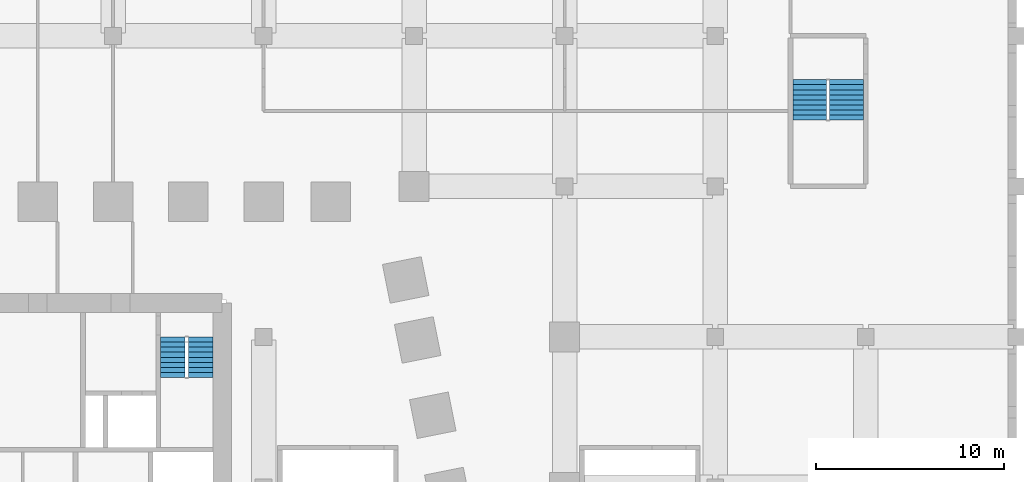
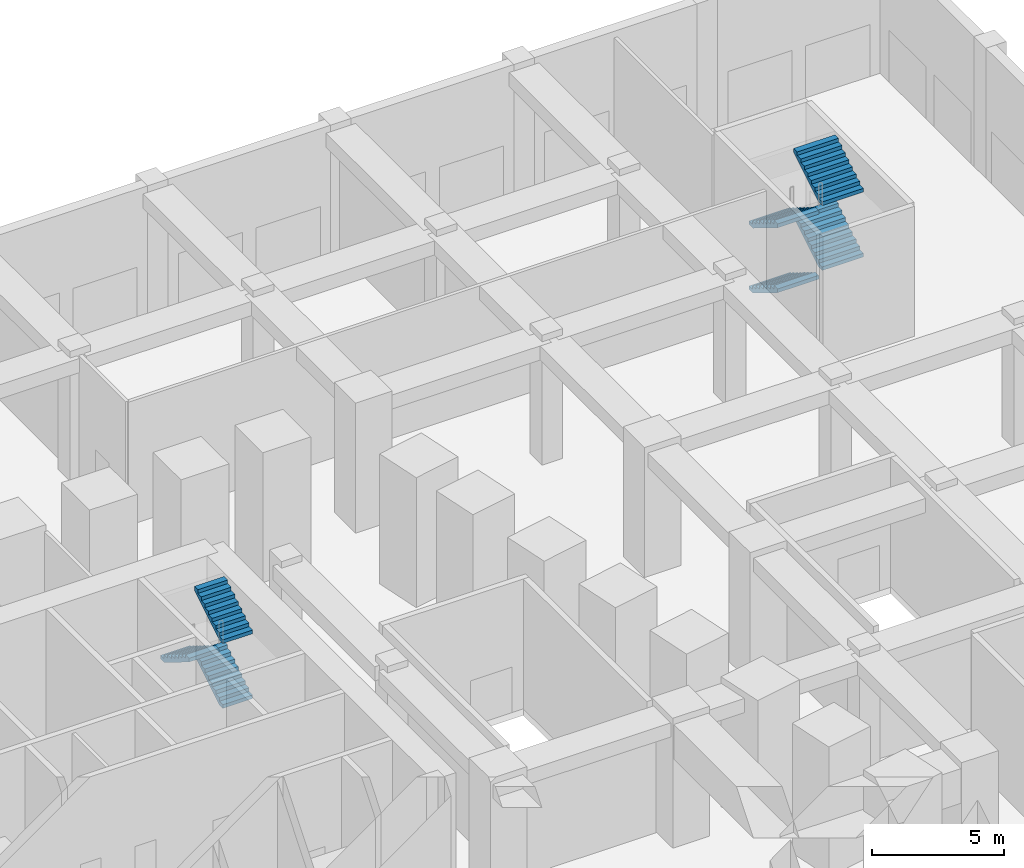
# One storey, part 17 of 28: 7 stair flights, 2 elements without a shape of their own.
"""IFC4 building model written with IfcOpenShell, lengths in metres."""

from ifc_helpers import new_model, si_unit, direction, frame, origin, place, context, subcontext, project, spatial, polyline, outline, extrude, material, type_object, element, aggregate, save


model = new_model("IFC4")

# Units and contexts
model_context = context("Model", 3, precision=1e-05, world=origin(), true_north=direction((0.0, 1.0)))
body_context = subcontext(model_context, "Body", "Model", "MODEL_VIEW")
ifc_project = project(units=[si_unit("LENGTHUNIT", "METRE"), si_unit("AREAUNIT", "SQUARE_METRE"), si_unit("VOLUMEUNIT", "CUBIC_METRE"), si_unit("PLANEANGLEUNIT", "RADIAN"), si_unit("MASSUNIT", "GRAM", prefix="KILO")], contexts=[model_context])

# Site, building, storey
site_placement = place(None, origin())
site = spatial("IfcSite", under=ifc_project, at=site_placement, CompositionType="ELEMENT")
building_placement = place(site_placement, origin())
building = spatial("IfcBuilding", under=site, at=building_placement, Name="Isbrekke Arena Tower", CompositionType="ELEMENT")
storey_placement = place(building_placement, origin())
storey = spatial("IfcBuildingStorey", under=building, at=storey_placement, Name="L00", CompositionType="ELEMENT", Elevation=0.0)

# Stair, stair flights
ifc_material_1 = material(Name="Concrete B45 (C45/55) precast", Category="concrete")
stair_type_1 = type_object("IfcStairType", Name="ST60 STAIR 1300 WIDE, 36 RISERS 167", PredefinedType="HALF_TURN_STAIR", material=ifc_material_1)
stair_1_placement = place(storey_placement, origin())
stair_1 = element("IfcStair", 1, at=stair_1_placement, inside=storey, type_object=stair_type_1, Name="ST2 stair L00", PredefinedType="HALF_TURN_STAIR")
ifc_material_2 = material(Name="Concrete B45 (C45/55) precast", Category="concrete")
stair_flight_type_1 = type_object("IfcStairFlightType", Name="SF 1300 FLIGHT", PredefinedType="STRAIGHT", material=ifc_material_2)
stair_flight_1_placement = place(storey_placement, frame((12.64990234375, 19.840087890625, 1.5), z_axis=(0.0, 0.0, 1.0), x_axis=(0.0, 1.0, 0.0)))
stair_flight_1 = element("IfcStairFlight", 2, at=stair_flight_1_placement, type_object=stair_flight_type_1, Name="ST2 flight 2", NumberOfRisers=9, NumberOfTreads=8, PredefinedType="STRAIGHT", RiserHeight=0.166666667, TreadLength=0.27, context=body_context, shape_type="SweptSolid", body=[
    extrude(outline(polyline([(0.0, 0.0), (0.0, 0.166748046875), (0.27001953125, 0.166748046875), (0.27001953125, 0.333251953125), (0.5400390625, 0.333251953125), (0.5400390625, 0.5), (0.81005859375, 0.5), (0.81005859375, 0.666748046875), (1.080078125, 0.666748046875), (1.080078125, 0.833251953125), (1.35009765625, 0.833251953125), (1.35009765625, 1.0), (1.6201171875, 1.0), (1.6201171875, 1.166748046875), (1.889892578125, 1.166748046875), (1.889892578125, 1.333251953125), (2.159912109375, 1.333251953125), (2.159912109375, 1.5), (2.159912109375, 1.1572265625), (0.285400390625, 0.0), (0.0, 0.0)])), frame((0.0, 0.64990234375, 0.0), z_axis=(0.0, -1.0, 0.0), x_axis=(1.0, 0.0, 0.0)), (0.0, 0.0, 1.0), 1.300048828125),
])
stair_flight_2_placement = place(storey_placement, frame((11.175048828125, 22.0, 3.0), z_axis=(0.0, 0.0, 1.0), x_axis=(0.0, -1.0, 0.0)))
stair_flight_2 = element("IfcStairFlight", 3, at=stair_flight_2_placement, type_object=stair_flight_type_1, Name="ST2 flight 3", NumberOfRisers=9, NumberOfTreads=8, PredefinedType="STRAIGHT", RiserHeight=0.166666667, TreadLength=0.27, context=body_context, shape_type="SweptSolid", body=[
    extrude(outline(polyline([(0.0, 0.0), (0.0, 0.166748046875), (0.27001953125, 0.166748046875), (0.27001953125, 0.333251953125), (0.5400390625, 0.333251953125), (0.5400390625, 0.5), (0.81005859375, 0.5), (0.81005859375, 0.666748046875), (1.080078125, 0.666748046875), (1.080078125, 0.833251953125), (1.35009765625, 0.833251953125), (1.35009765625, 1.0), (1.6201171875, 1.0), (1.6201171875, 1.166748046875), (1.889892578125, 1.166748046875), (1.889892578125, 1.333251953125), (2.159912109375, 1.333251953125), (2.159912109375, 1.5), (2.159912109375, 1.1572265625), (0.285400390625, 0.0), (0.0, 0.0)])), frame((0.0, 0.64990234375, 0.0), z_axis=(0.0, -1.0, 0.0), x_axis=(1.0, 0.0, 0.0)), (0.0, 0.0, 1.0), 1.300048828125),
])
stair_flight_3_placement = place(storey_placement, frame((12.64990234375, 19.840087890625, 4.5), z_axis=(0.0, 0.0, 1.0), x_axis=(0.0, 1.0, 0.0)))
stair_flight_3 = element("IfcStairFlight", 4, at=stair_flight_3_placement, type_object=stair_flight_type_1, Name="ST2 flight 4", NumberOfRisers=9, NumberOfTreads=8, PredefinedType="STRAIGHT", RiserHeight=0.166666667, TreadLength=0.27, context=body_context, shape_type="SweptSolid", body=[
    extrude(outline(polyline([(0.0, 0.0), (0.0, 0.166748046875), (0.27001953125, 0.166748046875), (0.27001953125, 0.333251953125), (0.5400390625, 0.333251953125), (0.5400390625, 0.5), (0.81005859375, 0.5), (0.81005859375, 0.666748046875), (1.080078125, 0.666748046875), (1.080078125, 0.833251953125), (1.35009765625, 0.833251953125), (1.35009765625, 1.0), (1.6201171875, 1.0), (1.6201171875, 1.166748046875), (1.889892578125, 1.166748046875), (1.889892578125, 1.333251953125), (2.159912109375, 1.333251953125), (2.159912109375, 1.5), (2.159912109375, 1.1572265625), (0.285400390625, 0.0), (0.0, 0.0)])), frame((0.0, 0.64990234375, 0.0), z_axis=(0.0, -1.0, 0.0), x_axis=(1.0, 0.0, 0.0)), (0.0, 0.0, 1.0), 1.300048828125),
])
aggregate(stair_1, [stair_flight_1, stair_flight_2, stair_flight_3])

ifc_material_3 = material(Name="Concrete B45 (C45/55) precast", Category="concrete")
stair_type_2 = type_object("IfcStairType", Name="ST60 STAIR 1800 WIDE, 36 RISERS 167", PredefinedType="HALF_TURN_STAIR", material=ifc_material_3)
stair_2_placement = place(storey_placement, origin())
stair_2 = element("IfcStair", 5, at=stair_2_placement, inside=storey, type_object=stair_type_2, Name="P1 stair L00", PredefinedType="HALF_TURN_STAIR")
ifc_material_4 = material(Name="Concrete B45 (C45/55) precast", Category="concrete")
stair_flight_type_2 = type_object("IfcStairFlightType", Name="SF 1800 FLIGHT", PredefinedType="STRAIGHT", material=ifc_material_4)
stair_flight_4_placement = place(storey_placement, frame((45.02490234375, 35.675048828125, 0.0), z_axis=(0.0, 0.0, 1.0), x_axis=(0.0, -1.0, 0.0)))
stair_flight_4 = element("IfcStairFlight", 6, at=stair_flight_4_placement, type_object=stair_flight_type_2, Name="P1 flight 1", NumberOfRisers=9, NumberOfTreads=8, PredefinedType="STRAIGHT", RiserHeight=0.166666667, TreadLength=0.27, context=body_context, shape_type="SweptSolid", body=[
    extrude(outline(polyline([(0.0, 0.0), (0.0, 0.166748046875), (0.27001953125, 0.166748046875), (0.27001953125, 0.333251953125), (0.5400390625, 0.333251953125), (0.5400390625, 0.5), (0.81005859375, 0.5), (0.81005859375, 0.666748046875), (1.080078125, 0.666748046875), (1.080078125, 0.833251953125), (1.35009765625, 0.833251953125), (1.35009765625, 1.0), (1.6201171875, 1.0), (1.6201171875, 1.166748046875), (1.889892578125, 1.166748046875), (1.889892578125, 1.333251953125), (2.159912109375, 1.333251953125), (2.159912109375, 1.5), (2.159912109375, 1.1572265625), (0.285400390625, 0.0), (0.0, 0.0)])), frame((0.0, 0.89990234375, 0.0), z_axis=(0.0, -1.0, 0.0), x_axis=(1.0, 0.0, 0.0)), (0.0, 0.0, 1.0), 0.90087890625),
    extrude(outline(polyline([(0.0, 0.0), (0.0, 0.166748046875), (0.27001953125, 0.166748046875), (0.27001953125, 0.333251953125), (0.5400390625, 0.333251953125), (0.5400390625, 0.5), (0.81005859375, 0.5), (0.81005859375, 0.666748046875), (1.080078125, 0.666748046875), (1.080078125, 0.833251953125), (1.35009765625, 0.833251953125), (1.35009765625, 1.0), (1.6201171875, 1.0), (1.6201171875, 1.166748046875), (1.889892578125, 1.166748046875), (1.889892578125, 1.333251953125), (2.159912109375, 1.333251953125), (2.159912109375, 1.5), (2.159912109375, 1.1572265625), (0.285400390625, 0.0), (0.0, 0.0)])), frame((0.0, 0.0009765625, 0.0), z_axis=(0.0, -1.0, 0.0), x_axis=(1.0, 0.0, 0.0)), (0.0, 0.0, 1.0), 0.90087890625),
])
stair_flight_5_placement = place(storey_placement, frame((46.97509765625, 33.514892578125, 1.5), z_axis=(0.0, 0.0, 1.0), x_axis=(0.0, 1.0, 0.0)))
stair_flight_5 = element("IfcStairFlight", 7, at=stair_flight_5_placement, type_object=stair_flight_type_2, Name="P1 flight 2", NumberOfRisers=9, NumberOfTreads=8, PredefinedType="STRAIGHT", RiserHeight=0.166666667, TreadLength=0.27, context=body_context, shape_type="SweptSolid", body=[
    extrude(outline(polyline([(0.0, 0.0), (0.0, 0.166748046875), (0.27001953125, 0.166748046875), (0.27001953125, 0.333251953125), (0.5400390625, 0.333251953125), (0.5400390625, 0.5), (0.81005859375, 0.5), (0.81005859375, 0.666748046875), (1.080078125, 0.666748046875), (1.080078125, 0.833251953125), (1.35009765625, 0.833251953125), (1.35009765625, 1.0), (1.6201171875, 1.0), (1.6201171875, 1.166748046875), (1.889892578125, 1.166748046875), (1.889892578125, 1.333251953125), (2.159912109375, 1.333251953125), (2.159912109375, 1.5), (2.159912109375, 1.1572265625), (0.285400390625, 0.0), (0.0, 0.0)])), frame((0.0, 0.89990234375, 0.0), z_axis=(0.0, -1.0, 0.0), x_axis=(1.0, 0.0, 0.0)), (0.0, 0.0, 1.0), 0.90087890625),
    extrude(outline(polyline([(0.0, 0.0), (0.0, 0.166748046875), (0.27001953125, 0.166748046875), (0.27001953125, 0.333251953125), (0.5400390625, 0.333251953125), (0.5400390625, 0.5), (0.81005859375, 0.5), (0.81005859375, 0.666748046875), (1.080078125, 0.666748046875), (1.080078125, 0.833251953125), (1.35009765625, 0.833251953125), (1.35009765625, 1.0), (1.6201171875, 1.0), (1.6201171875, 1.166748046875), (1.889892578125, 1.166748046875), (1.889892578125, 1.333251953125), (2.159912109375, 1.333251953125), (2.159912109375, 1.5), (2.159912109375, 1.1572265625), (0.285400390625, 0.0), (0.0, 0.0)])), frame((0.0, 0.0009765625, 0.0), z_axis=(0.0, -1.0, 0.0), x_axis=(1.0, 0.0, 0.0)), (0.0, 0.0, 1.0), 0.90087890625),
])
stair_flight_6_placement = place(storey_placement, frame((45.02490234375, 35.675048828125, 3.0), z_axis=(0.0, 0.0, 1.0), x_axis=(0.0, -1.0, 0.0)))
stair_flight_6 = element("IfcStairFlight", 8, at=stair_flight_6_placement, type_object=stair_flight_type_2, Name="P1 flight 3", NumberOfRisers=9, NumberOfTreads=8, PredefinedType="STRAIGHT", RiserHeight=0.166666667, TreadLength=0.27, context=body_context, shape_type="SweptSolid", body=[
    extrude(outline(polyline([(0.0, 0.0), (0.0, 0.166748046875), (0.27001953125, 0.166748046875), (0.27001953125, 0.333251953125), (0.5400390625, 0.333251953125), (0.5400390625, 0.5), (0.81005859375, 0.5), (0.81005859375, 0.666748046875), (1.080078125, 0.666748046875), (1.080078125, 0.833251953125), (1.35009765625, 0.833251953125), (1.35009765625, 1.0), (1.6201171875, 1.0), (1.6201171875, 1.166748046875), (1.889892578125, 1.166748046875), (1.889892578125, 1.333251953125), (2.159912109375, 1.333251953125), (2.159912109375, 1.5), (2.159912109375, 1.1572265625), (0.285400390625, 0.0), (0.0, 0.0)])), frame((0.0, 0.89990234375, 0.0), z_axis=(0.0, -1.0, 0.0), x_axis=(1.0, 0.0, 0.0)), (0.0, 0.0, 1.0), 0.90087890625),
    extrude(outline(polyline([(0.0, 0.0), (0.0, 0.166748046875), (0.27001953125, 0.166748046875), (0.27001953125, 0.333251953125), (0.5400390625, 0.333251953125), (0.5400390625, 0.5), (0.81005859375, 0.5), (0.81005859375, 0.666748046875), (1.080078125, 0.666748046875), (1.080078125, 0.833251953125), (1.35009765625, 0.833251953125), (1.35009765625, 1.0), (1.6201171875, 1.0), (1.6201171875, 1.166748046875), (1.889892578125, 1.166748046875), (1.889892578125, 1.333251953125), (2.159912109375, 1.333251953125), (2.159912109375, 1.5), (2.159912109375, 1.1572265625), (0.285400390625, 0.0), (0.0, 0.0)])), frame((0.0, 0.0009765625, 0.0), z_axis=(0.0, -1.0, 0.0), x_axis=(1.0, 0.0, 0.0)), (0.0, 0.0, 1.0), 0.90087890625),
])
stair_flight_7_placement = place(storey_placement, frame((46.97509765625, 33.514892578125, 4.5), z_axis=(0.0, 0.0, 1.0), x_axis=(0.0, 1.0, 0.0)))
stair_flight_7 = element("IfcStairFlight", 9, at=stair_flight_7_placement, type_object=stair_flight_type_2, Name="P1 flight 4", NumberOfRisers=9, NumberOfTreads=8, PredefinedType="STRAIGHT", RiserHeight=0.166666667, TreadLength=0.27, context=body_context, shape_type="SweptSolid", body=[
    extrude(outline(polyline([(0.0, 0.0), (0.0, 0.166748046875), (0.27001953125, 0.166748046875), (0.27001953125, 0.333251953125), (0.5400390625, 0.333251953125), (0.5400390625, 0.5), (0.81005859375, 0.5), (0.81005859375, 0.666748046875), (1.080078125, 0.666748046875), (1.080078125, 0.833251953125), (1.35009765625, 0.833251953125), (1.35009765625, 1.0), (1.6201171875, 1.0), (1.6201171875, 1.166748046875), (1.889892578125, 1.166748046875), (1.889892578125, 1.333251953125), (2.159912109375, 1.333251953125), (2.159912109375, 1.5), (2.159912109375, 1.1572265625), (0.285400390625, 0.0), (0.0, 0.0)])), frame((0.0, 0.89990234375, 0.0), z_axis=(0.0, -1.0, 0.0), x_axis=(1.0, 0.0, 0.0)), (0.0, 0.0, 1.0), 0.90087890625),
    extrude(outline(polyline([(0.0, 0.0), (0.0, 0.166748046875), (0.27001953125, 0.166748046875), (0.27001953125, 0.333251953125), (0.5400390625, 0.333251953125), (0.5400390625, 0.5), (0.81005859375, 0.5), (0.81005859375, 0.666748046875), (1.080078125, 0.666748046875), (1.080078125, 0.833251953125), (1.35009765625, 0.833251953125), (1.35009765625, 1.0), (1.6201171875, 1.0), (1.6201171875, 1.166748046875), (1.889892578125, 1.166748046875), (1.889892578125, 1.333251953125), (2.159912109375, 1.333251953125), (2.159912109375, 1.5), (2.159912109375, 1.1572265625), (0.285400390625, 0.0), (0.0, 0.0)])), frame((0.0, 0.0009765625, 0.0), z_axis=(0.0, -1.0, 0.0), x_axis=(1.0, 0.0, 0.0)), (0.0, 0.0, 1.0), 0.90087890625),
])
aggregate(stair_2, [stair_flight_4, stair_flight_5, stair_flight_6, stair_flight_7])

save(model, "model.ifc")
